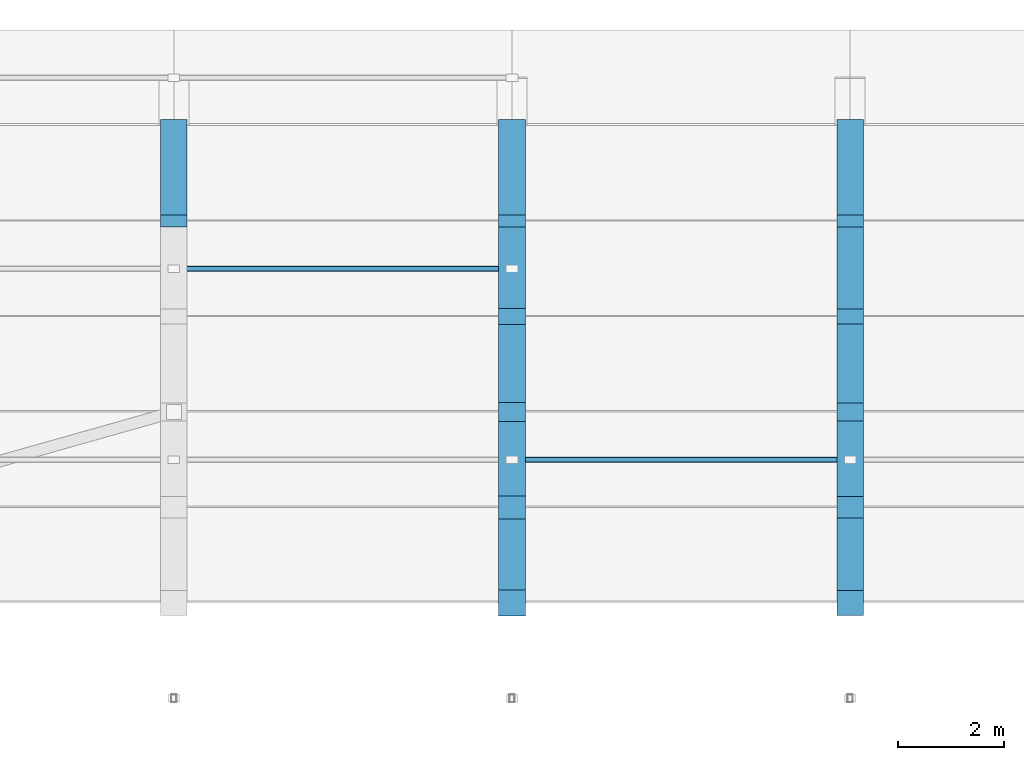
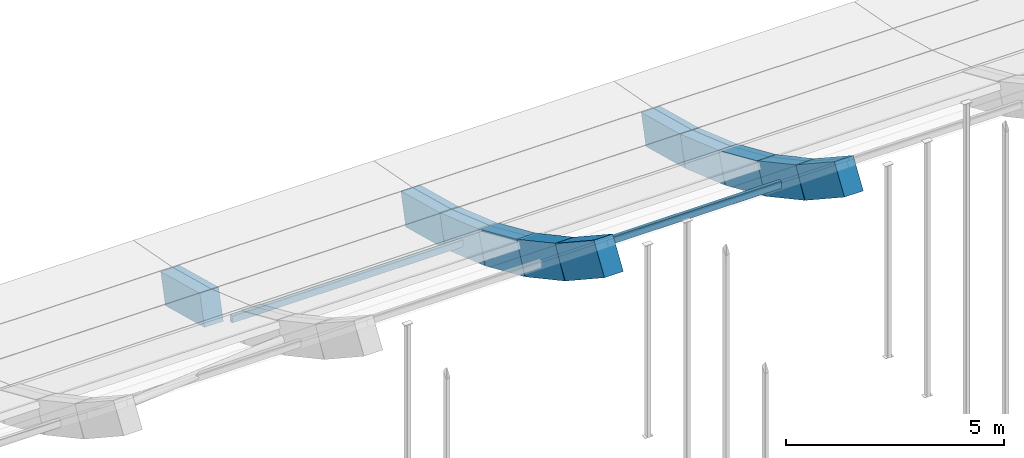
# One storey, part 30 of 77: 13 members.
"""IFC4 building model written with IfcOpenShell, lengths in metres."""

from ifc_helpers import new_model, si_unit, direction, frame, origin, origin_2d, place, context, subcontext, project, spatial, rectangle, hollow_rectangle, extrude, material, material_profile, profile_set, type_object, element, save


model = new_model("IFC4")

# Units and contexts
model_context = context("Model", 3, precision=1e-05, world=origin(), true_north=direction((0.0, 1.0)))
body_context = subcontext(model_context, "Body", "Model", "MODEL_VIEW")
ifc_project = project(units=[si_unit("LENGTHUNIT", "METRE"), si_unit("AREAUNIT", "SQUARE_METRE"), si_unit("VOLUMEUNIT", "CUBIC_METRE"), si_unit("PLANEANGLEUNIT", "RADIAN"), si_unit("MASSUNIT", "GRAM", prefix="KILO")], contexts=[model_context])

# Site, building, storey
site_placement = place(None, origin())
site = spatial("IfcSite", under=ifc_project, at=site_placement, CompositionType="ELEMENT")
building_placement = place(site_placement, origin())
building = spatial("IfcBuilding", under=site, at=building_placement, Name="Trellovar Central Fire Station", CompositionType="ELEMENT")
storey_placement = place(building_placement, frame((0.0, 0.0, 5.85009765625)))
storey = spatial("IfcBuildingStorey", under=building, at=storey_placement, Name="L02", CompositionType="ELEMENT", Elevation=5.85009765625)

# Members
ifc_material_1 = material(Name="Concrete C40/50", Category="concrete")
ifc_material_profile_1 = material_profile(ifc_material_1, rectangle(XDim=0.5, YDim=0.89990234375, at=origin_2d()), Name="RC500X900")
ifc_profile_set_1 = profile_set([ifc_material_profile_1], Name="Concrete C40/50")
member_type_1 = type_object("IfcMemberType", Name="MEM-AR1", PredefinedType="CHORD", material=ifc_profile_set_1)
member_1_placement = place(storey_placement, frame((73.10009765625, 31.6533203125, 3.73974609375), z_axis=(0.0, 0.835516018722, -0.549466088544), x_axis=(-1.0, 0.0, 0.0)))
element("IfcMember", 1, at=member_1_placement, inside=storey, type_object=member_type_1, Name="Parabolic arch rib AR-07 chord 11", PredefinedType="CHORD", context=body_context, shape_type="SweptSolid", body=[
    extrude(rectangle(XDim=0.5, YDim=0.89990234375, at=origin_2d()), origin(), (0.0, 0.0, 1.0), 2.146484375),
])
member_2_placement = place(storey_placement, frame((73.10009765625, 33.44677734375, 2.560302734375), z_axis=(0.0, 0.879319122317, -0.476233011379), x_axis=(-1.0, 0.0, 0.0)))
element("IfcMember", 2, at=member_2_placement, inside=storey, type_object=member_type_1, Name="Parabolic arch rib AR-07 chord 12", PredefinedType="CHORD", context=body_context, shape_type="SweptSolid", body=[
    extrude(rectangle(XDim=0.5, YDim=0.89990234375, at=origin_2d()), origin(), (0.0, 0.0, 1.0), 2.039306640625),
])
member_3_placement = place(storey_placement, frame((73.10009765625, 35.239990234375, 1.589111328125), z_axis=(0.0, 0.915259901496, -0.402863888569), x_axis=(-1.0, 0.0, 0.0)))
element("IfcMember", 3, at=member_3_placement, inside=storey, type_object=member_type_1, Name="Parabolic arch rib AR-07 chord 13", PredefinedType="CHORD", context=body_context, shape_type="SweptSolid", body=[
    extrude(rectangle(XDim=0.5, YDim=0.89990234375, at=origin_2d()), origin(), (0.0, 0.0, 1.0), 1.959228515625),
])
member_4_placement = place(storey_placement, frame((73.10009765625, 37.033203125, 0.7998046875), z_axis=(0.0, 0.94410254219, -0.329651922232), x_axis=(-1.0, 0.0, 0.0)))
element("IfcMember", 4, at=member_4_placement, inside=storey, type_object=member_type_1, Name="Parabolic arch rib AR-07 chord 14", PredefinedType="CHORD", context=body_context, shape_type="SweptSolid", body=[
    extrude(rectangle(XDim=0.5, YDim=0.89990234375, at=origin_2d()), origin(), (0.0, 0.0, 1.0), 1.899658203125),
])
member_5_placement = place(storey_placement, frame((73.10009765625, 38.82666015625, 0.173583984375), z_axis=(0.0, 0.966592167816, -0.25631929525), x_axis=(-1.0, 0.0, 0.0)))
element("IfcMember", 5, at=member_5_placement, inside=storey, type_object=member_type_1, Name="Parabolic arch rib AR-07 chord 15", PredefinedType="CHORD", context=body_context, shape_type="SweptSolid", body=[
    extrude(rectangle(XDim=0.5, YDim=0.89990234375, at=origin_2d()), origin(), (0.0, 0.0, 1.0), 1.85546875),
])
ifc_material_2 = material(Name="Concrete C40/50", Category="concrete")
ifc_material_profile_2 = material_profile(ifc_material_2, rectangle(XDim=0.5, YDim=0.85009765625, at=origin_2d()), Name="RC500X850")
ifc_profile_set_2 = profile_set([ifc_material_profile_2], Name="Concrete C40/50")
member_type_2 = type_object("IfcMemberType", Name="MEM-AR2", PredefinedType="CHORD", material=ifc_profile_set_2)
member_6_placement = place(storey_placement, frame((66.75, 38.82666015625, 0.173583984375), z_axis=(0.0, 0.966592167816, -0.25631929525), x_axis=(-1.0, 0.0, 0.0)))
element("IfcMember", 6, at=member_6_placement, inside=storey, type_object=member_type_2, Name="Parabolic arch rib AR-06 chord 15", PredefinedType="CHORD", context=body_context, shape_type="SweptSolid", body=[
    extrude(rectangle(XDim=0.5, YDim=0.85009765625, at=origin_2d()), origin(), (0.0, 0.0, 1.0), 1.85546875),
])
member_7_placement = place(storey_placement, frame((79.449951171875, 31.6533203125, 3.73974609375), z_axis=(0.0, 0.835516018722, -0.549466088544), x_axis=(-1.0, 0.0, 0.0)))
element("IfcMember", 7, at=member_7_placement, inside=storey, type_object=member_type_2, Name="Parabolic arch rib AR-08 chord 11", PredefinedType="CHORD", context=body_context, shape_type="SweptSolid", body=[
    extrude(rectangle(XDim=0.5, YDim=0.85009765625, at=origin_2d()), origin(), (0.0, 0.0, 1.0), 2.146484375),
])
member_8_placement = place(storey_placement, frame((79.449951171875, 33.44677734375, 2.560302734375), z_axis=(0.0, 0.879319122317, -0.476233011379), x_axis=(-1.0, 0.0, 0.0)))
element("IfcMember", 8, at=member_8_placement, inside=storey, type_object=member_type_2, Name="Parabolic arch rib AR-08 chord 12", PredefinedType="CHORD", context=body_context, shape_type="SweptSolid", body=[
    extrude(rectangle(XDim=0.5, YDim=0.85009765625, at=origin_2d()), origin(), (0.0, 0.0, 1.0), 2.039306640625),
])
member_9_placement = place(storey_placement, frame((79.449951171875, 35.239990234375, 1.589111328125), z_axis=(0.0, 0.915259901496, -0.402863888569), x_axis=(-1.0, 0.0, 0.0)))
element("IfcMember", 9, at=member_9_placement, inside=storey, type_object=member_type_2, Name="Parabolic arch rib AR-08 chord 13", PredefinedType="CHORD", context=body_context, shape_type="SweptSolid", body=[
    extrude(rectangle(XDim=0.5, YDim=0.85009765625, at=origin_2d()), origin(), (0.0, 0.0, 1.0), 1.959228515625),
])
member_10_placement = place(storey_placement, frame((79.449951171875, 37.033203125, 0.7998046875), z_axis=(0.0, 0.94410254219, -0.329651922232), x_axis=(-1.0, 0.0, 0.0)))
element("IfcMember", 10, at=member_10_placement, inside=storey, type_object=member_type_2, Name="Parabolic arch rib AR-08 chord 14", PredefinedType="CHORD", context=body_context, shape_type="SweptSolid", body=[
    extrude(rectangle(XDim=0.5, YDim=0.85009765625, at=origin_2d()), origin(), (0.0, 0.0, 1.0), 1.899658203125),
])
member_11_placement = place(storey_placement, frame((79.449951171875, 38.82666015625, 0.173583984375), z_axis=(0.0, 0.966592167816, -0.25631929525), x_axis=(-1.0, 0.0, 0.0)))
element("IfcMember", 11, at=member_11_placement, inside=storey, type_object=member_type_2, Name="Parabolic arch rib AR-08 chord 15", PredefinedType="CHORD", context=body_context, shape_type="SweptSolid", body=[
    extrude(rectangle(XDim=0.5, YDim=0.85009765625, at=origin_2d()), origin(), (0.0, 0.0, 1.0), 1.85546875),
])
ifc_material_3 = material(Name="Steel ASTM A500 Grade C", Category="steel")
ifc_material_profile_3 = material_profile(ifc_material_3, hollow_rectangle(XDim=0.1015625, YDim=0.203125, WallThickness=0.0087890625, InnerFilletRadius=0.0087890625, OuterFilletRadius=0.017822265625, at=origin_2d()), Name="HSS8X4X3/8")
ifc_profile_set_3 = profile_set([ifc_material_profile_3], Name="Steel ASTM A500 Grade C")
member_type_3 = type_object("IfcMemberType", Name="MEM-PU1", PredefinedType="PURLIN", material=ifc_profile_set_3)
member_12_placement = place(storey_placement, frame((66.75, 37.929931640625, 0.396484375), z_axis=(1.0, 0.0, 0.0), x_axis=(0.0, 1.0, 0.0)))
element("IfcMember", 12, at=member_12_placement, inside=storey, type_object=member_type_3, Name="Vault purlin V1-06-14", PredefinedType="PURLIN", context=body_context, shape_type="SweptSolid", body=[
    extrude(hollow_rectangle(XDim=0.1015625, YDim=0.203125, WallThickness=0.0087890625, InnerFilletRadius=0.0087890625, OuterFilletRadius=0.017822265625, at=origin_2d()), origin(), (0.0, 0.0, 1.0), 6.35009765625),
])
member_13_placement = place(storey_placement, frame((73.10009765625, 34.343505859375, 1.98486328125), z_axis=(1.0, 0.0, 0.0), x_axis=(0.0, 1.0, 0.0)))
element("IfcMember", 13, at=member_13_placement, inside=storey, type_object=member_type_3, Name="Vault purlin V1-07-12", PredefinedType="PURLIN", context=body_context, shape_type="SweptSolid", body=[
    extrude(hollow_rectangle(XDim=0.1015625, YDim=0.203125, WallThickness=0.0087890625, InnerFilletRadius=0.0087890625, OuterFilletRadius=0.017822265625, at=origin_2d()), origin(), (0.0, 0.0, 1.0), 6.349853515625),
])

save(model, "model.ifc")
